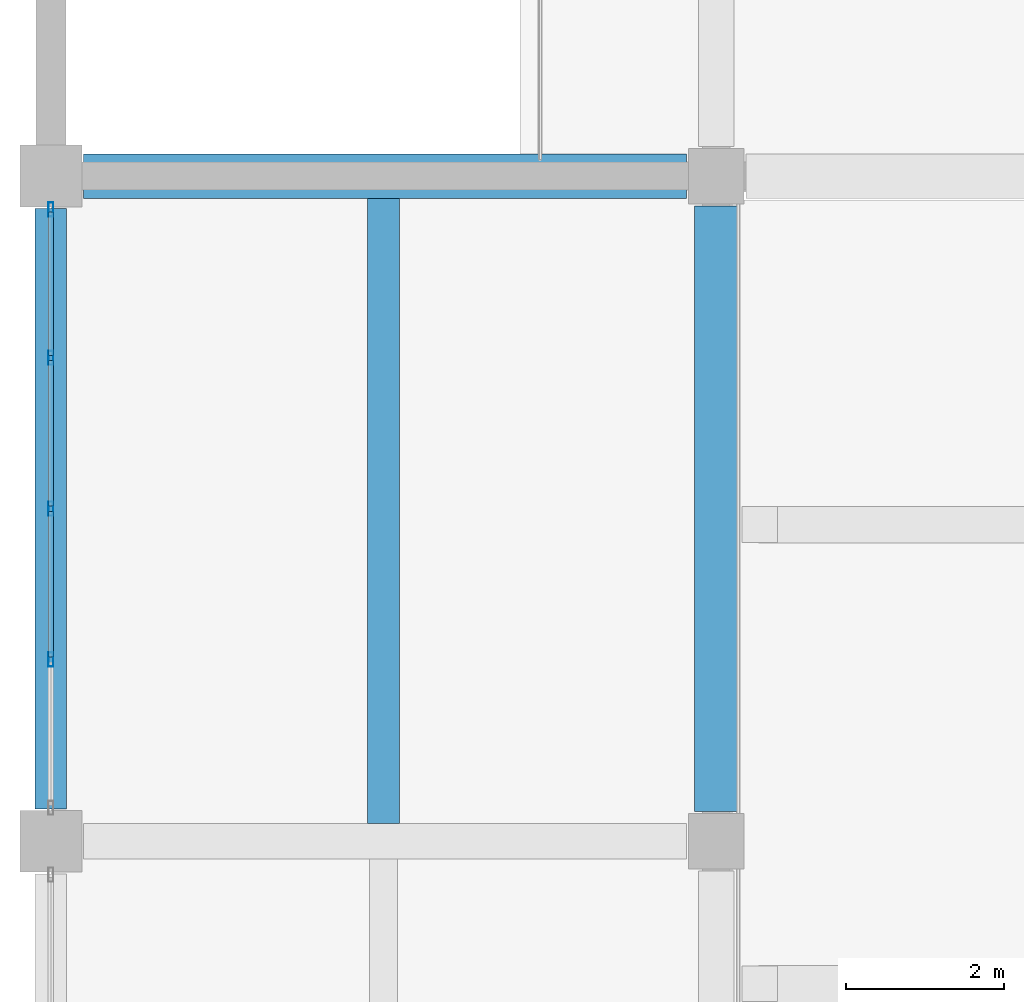
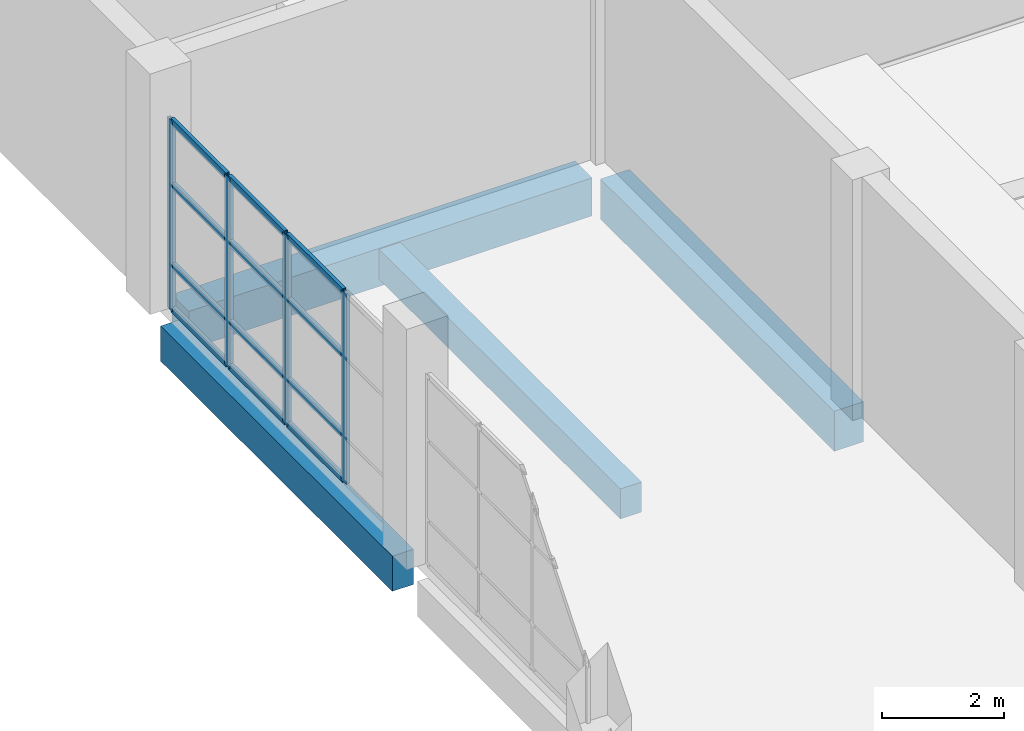
# One storey, part 21 of 91: 16 members, 4 beams, 1 element without a shape of its own.
"""IFC4 building model written with IfcOpenShell, lengths in metres."""

from ifc_helpers import new_model, si_unit, direction, frame, origin, origin_2d, place, context, subcontext, project, spatial, rectangle, hollow_rectangle, extrude, material, material_profile, profile_set, type_object, element, aggregate, save


model = new_model("IFC4")

# Units and contexts
model_context = context("Model", 3, precision=1e-05, world=origin(), true_north=direction((0.0, 1.0)))
body_context = subcontext(model_context, "Body", "Model", "MODEL_VIEW")
ifc_project = project(units=[si_unit("LENGTHUNIT", "METRE"), si_unit("AREAUNIT", "SQUARE_METRE"), si_unit("VOLUMEUNIT", "CUBIC_METRE"), si_unit("PLANEANGLEUNIT", "RADIAN"), si_unit("MASSUNIT", "GRAM", prefix="KILO")], contexts=[model_context])

# Site, building, storey
site_placement = place(None, origin())
site = spatial("IfcSite", under=ifc_project, at=site_placement, CompositionType="ELEMENT")
building_placement = place(site_placement, origin())
building = spatial("IfcBuilding", under=site, at=building_placement, Name="Pellamere Symphony Hall", CompositionType="ELEMENT")
storey_placement = place(building_placement, frame((0.0, 0.0, 5.39990234375)))
storey = spatial("IfcBuildingStorey", under=building, at=storey_placement, Name="L01", CompositionType="ELEMENT", Elevation=5.39990234375)

# Curtain wall, members
ifc_material_1 = material(Name="Thermally Broken Anodised Aluminium 6063-T6 Curtain Wall", Category="aluminium")
curtain_wall_type = type_object("IfcCurtainWallType", Name="Curtain Wall CW-04 (Chamber Music Lobby Curtain Wall)", PredefinedType="NOTDEFINED", material=ifc_material_1)
curtain_wall_placement = place(storey_placement, origin())
curtain_wall = element("IfcCurtainWall", 1, at=curtain_wall_placement, inside=storey, type_object=curtain_wall_type, Name="Chamber West Gallery Curtain Wall (L01 Bay 3)", PredefinedType="NOTDEFINED")
ifc_material_2 = material(Name="Anodised Architectural Aluminium 6063-T6", Category="aluminium")
ifc_material_profile_1 = material_profile(ifc_material_2, hollow_rectangle(XDim=0.06494140625, YDim=0.179931640625, WallThickness=0.00390625, at=origin_2d()), Name="ALU-M65X180X4")
ifc_profile_set_1 = profile_set([ifc_material_profile_1], Name="Anodised Architectural Aluminium 6063-T6")
member_type_1 = type_object("IfcMemberType", Name="Curtain Wall Mullion ML-02 ALU-M65X180X4", PredefinedType="MULLION", material=ifc_profile_set_1)
member_1_placement = place(storey_placement, frame((0.0, 32.294921875, 0.0), z_axis=(0.0, 0.0, 1.0), x_axis=(-1.0, 0.0, 0.0)))
member_1 = element("IfcMember", 2, at=member_1_placement, type_object=member_type_1, Name="CW4W-123 crystal mullion 2", PredefinedType="MULLION", context=body_context, shape_type="SweptSolid", body=[
    extrude(hollow_rectangle(XDim=0.06494140625, YDim=0.179931640625, WallThickness=0.00390625, at=origin_2d()), origin(), (0.0, 0.0, 1.0), 3.800048828125),
])
member_2_placement = place(storey_placement, frame((0.0, 34.199951171875, 0.0), z_axis=(0.0, 0.0, 1.0), x_axis=(-1.0, 0.0, 0.0)))
member_2 = element("IfcMember", 3, at=member_2_placement, type_object=member_type_1, Name="CW4W-123 crystal mullion 3", PredefinedType="MULLION", context=body_context, shape_type="SweptSolid", body=[
    extrude(hollow_rectangle(XDim=0.06494140625, YDim=0.179931640625, WallThickness=0.00390625, at=origin_2d()), origin(), (0.0, 0.0, 1.0), 3.800048828125),
])
member_3_placement = place(storey_placement, frame((0.0, 36.10498046875, 0.0), z_axis=(0.0, 0.0, 1.0), x_axis=(-1.0, 0.0, 0.0)))
member_3 = element("IfcMember", 4, at=member_3_placement, type_object=member_type_1, Name="CW4W-123 crystal mullion 4", PredefinedType="MULLION", context=body_context, shape_type="SweptSolid", body=[
    extrude(hollow_rectangle(XDim=0.06494140625, YDim=0.179931640625, WallThickness=0.00390625, at=origin_2d()), origin(), (0.0, 0.0, 1.0), 3.800048828125),
])
member_4_placement = place(storey_placement, frame((0.0, 37.9775390625, 0.0), z_axis=(0.0, 0.0, 1.0), x_axis=(-1.0, 0.0, 0.0)))
member_4 = element("IfcMember", 5, at=member_4_placement, type_object=member_type_1, Name="CW4W-123 crystal mullion 5", PredefinedType="MULLION", context=body_context, shape_type="SweptSolid", body=[
    extrude(hollow_rectangle(XDim=0.06494140625, YDim=0.179931640625, WallThickness=0.00390625, at=origin_2d()), origin(), (0.0, 0.0, 1.0), 3.800048828125),
])
ifc_material_profile_2 = material_profile(ifc_material_2, hollow_rectangle(XDim=0.06494140625, YDim=0.139892578125, WallThickness=0.00390625, at=origin_2d()), Name="ALU-T65X140X4")
ifc_profile_set_2 = profile_set([ifc_material_profile_2], Name="Anodised Architectural Aluminium 6063-T6")
member_type_2 = type_object("IfcMemberType", Name="Curtain Wall Transom TR-02 ALU-T65X140X4", PredefinedType="USERDEFINED", material=ifc_profile_set_2)
member_5_placement = place(storey_placement, frame((0.0, 32.327392578125, 0.03271484375), z_axis=(0.0, 1.0, 0.0), x_axis=(-1.0, 0.0, 0.0)))
member_5 = element("IfcMember", 6, at=member_5_placement, type_object=member_type_2, Name="CW4W-123 crystal transom 2.1", ObjectType="TRANSOM", PredefinedType="USERDEFINED", context=body_context, shape_type="SweptSolid", body=[
    extrude(hollow_rectangle(XDim=0.06494140625, YDim=0.139892578125, WallThickness=0.00390625, at=origin_2d()), origin(), (0.0, 0.0, 1.0), 1.840087890625),
])
member_6_placement = place(storey_placement, frame((0.0, 32.327392578125, 0.912109375), z_axis=(0.0, 1.0, 0.0), x_axis=(-1.0, 0.0, 0.0)))
member_6 = element("IfcMember", 7, at=member_6_placement, type_object=member_type_2, Name="CW4W-123 crystal transom 2.2", ObjectType="TRANSOM", PredefinedType="USERDEFINED", context=body_context, shape_type="SweptSolid", body=[
    extrude(hollow_rectangle(XDim=0.06494140625, YDim=0.139892578125, WallThickness=0.00390625, at=origin_2d()), origin(), (0.0, 0.0, 1.0), 1.840087890625),
])
member_7_placement = place(storey_placement, frame((0.0, 32.327392578125, 2.508056640625), z_axis=(0.0, 1.0, 0.0), x_axis=(-1.0, 0.0, 0.0)))
member_7 = element("IfcMember", 8, at=member_7_placement, type_object=member_type_2, Name="CW4W-123 crystal transom 2.3", ObjectType="TRANSOM", PredefinedType="USERDEFINED", context=body_context, shape_type="SweptSolid", body=[
    extrude(hollow_rectangle(XDim=0.06494140625, YDim=0.139892578125, WallThickness=0.00390625, at=origin_2d()), origin(), (0.0, 0.0, 1.0), 1.840087890625),
])
member_8_placement = place(storey_placement, frame((0.0, 32.327392578125, 3.767578125), z_axis=(0.0, 1.0, 0.0), x_axis=(-1.0, 0.0, 0.0)))
member_8 = element("IfcMember", 9, at=member_8_placement, type_object=member_type_2, Name="CW4W-123 crystal transom 2.4", ObjectType="TRANSOM", PredefinedType="USERDEFINED", context=body_context, shape_type="SweptSolid", body=[
    extrude(hollow_rectangle(XDim=0.06494140625, YDim=0.139892578125, WallThickness=0.00390625, at=origin_2d()), origin(), (0.0, 0.0, 1.0), 1.840087890625),
])
member_9_placement = place(storey_placement, frame((0.0, 34.232421875, 0.03271484375), z_axis=(0.0, 1.0, 0.0), x_axis=(-1.0, 0.0, 0.0)))
member_9 = element("IfcMember", 10, at=member_9_placement, type_object=member_type_2, Name="CW4W-123 crystal transom 3.1", ObjectType="TRANSOM", PredefinedType="USERDEFINED", context=body_context, shape_type="SweptSolid", body=[
    extrude(hollow_rectangle(XDim=0.06494140625, YDim=0.139892578125, WallThickness=0.00390625, at=origin_2d()), origin(), (0.0, 0.0, 1.0), 1.840087890625),
])
member_10_placement = place(storey_placement, frame((0.0, 34.232421875, 0.912109375), z_axis=(0.0, 1.0, 0.0), x_axis=(-1.0, 0.0, 0.0)))
member_10 = element("IfcMember", 11, at=member_10_placement, type_object=member_type_2, Name="CW4W-123 crystal transom 3.2", ObjectType="TRANSOM", PredefinedType="USERDEFINED", context=body_context, shape_type="SweptSolid", body=[
    extrude(hollow_rectangle(XDim=0.06494140625, YDim=0.139892578125, WallThickness=0.00390625, at=origin_2d()), origin(), (0.0, 0.0, 1.0), 1.840087890625),
])
member_11_placement = place(storey_placement, frame((0.0, 34.232421875, 2.508056640625), z_axis=(0.0, 1.0, 0.0), x_axis=(-1.0, 0.0, 0.0)))
member_11 = element("IfcMember", 12, at=member_11_placement, type_object=member_type_2, Name="CW4W-123 crystal transom 3.3", ObjectType="TRANSOM", PredefinedType="USERDEFINED", context=body_context, shape_type="SweptSolid", body=[
    extrude(hollow_rectangle(XDim=0.06494140625, YDim=0.139892578125, WallThickness=0.00390625, at=origin_2d()), origin(), (0.0, 0.0, 1.0), 1.840087890625),
])
member_12_placement = place(storey_placement, frame((0.0, 34.232421875, 3.767578125), z_axis=(0.0, 1.0, 0.0), x_axis=(-1.0, 0.0, 0.0)))
member_12 = element("IfcMember", 13, at=member_12_placement, type_object=member_type_2, Name="CW4W-123 crystal transom 3.4", ObjectType="TRANSOM", PredefinedType="USERDEFINED", context=body_context, shape_type="SweptSolid", body=[
    extrude(hollow_rectangle(XDim=0.06494140625, YDim=0.139892578125, WallThickness=0.00390625, at=origin_2d()), origin(), (0.0, 0.0, 1.0), 1.840087890625),
])
member_13_placement = place(storey_placement, frame((0.0, 36.137451171875, 0.03271484375), z_axis=(0.0, 1.0, 0.0), x_axis=(-1.0, 0.0, 0.0)))
member_13 = element("IfcMember", 14, at=member_13_placement, type_object=member_type_2, Name="CW4W-123 crystal transom 4.1", ObjectType="TRANSOM", PredefinedType="USERDEFINED", context=body_context, shape_type="SweptSolid", body=[
    extrude(hollow_rectangle(XDim=0.06494140625, YDim=0.139892578125, WallThickness=0.00390625, at=origin_2d()), origin(), (0.0, 0.0, 1.0), 1.8076171875),
])
member_14_placement = place(storey_placement, frame((0.0, 36.137451171875, 0.912109375), z_axis=(0.0, 1.0, 0.0), x_axis=(-1.0, 0.0, 0.0)))
member_14 = element("IfcMember", 15, at=member_14_placement, type_object=member_type_2, Name="CW4W-123 crystal transom 4.2", ObjectType="TRANSOM", PredefinedType="USERDEFINED", context=body_context, shape_type="SweptSolid", body=[
    extrude(hollow_rectangle(XDim=0.06494140625, YDim=0.139892578125, WallThickness=0.00390625, at=origin_2d()), origin(), (0.0, 0.0, 1.0), 1.8076171875),
])
member_15_placement = place(storey_placement, frame((0.0, 36.137451171875, 2.508056640625), z_axis=(0.0, 1.0, 0.0), x_axis=(-1.0, 0.0, 0.0)))
member_15 = element("IfcMember", 16, at=member_15_placement, type_object=member_type_2, Name="CW4W-123 crystal transom 4.3", ObjectType="TRANSOM", PredefinedType="USERDEFINED", context=body_context, shape_type="SweptSolid", body=[
    extrude(hollow_rectangle(XDim=0.06494140625, YDim=0.139892578125, WallThickness=0.00390625, at=origin_2d()), origin(), (0.0, 0.0, 1.0), 1.8076171875),
])
member_16_placement = place(storey_placement, frame((0.0, 36.137451171875, 3.767578125), z_axis=(0.0, 1.0, 0.0), x_axis=(-1.0, 0.0, 0.0)))
member_16 = element("IfcMember", 17, at=member_16_placement, type_object=member_type_2, Name="CW4W-123 crystal transom 4.4", ObjectType="TRANSOM", PredefinedType="USERDEFINED", context=body_context, shape_type="SweptSolid", body=[
    extrude(hollow_rectangle(XDim=0.06494140625, YDim=0.139892578125, WallThickness=0.00390625, at=origin_2d()), origin(), (0.0, 0.0, 1.0), 1.8076171875),
])
aggregate(curtain_wall, [member_1, member_2, member_3, member_4, member_5, member_6, member_7, member_8, member_9, member_10, member_11, member_12, member_13, member_14, member_15, member_16])

# Beams
ifc_material_3 = material(Name="Concrete 40 MPa", Category="concrete")
ifc_material_profile_3 = material_profile(ifc_material_3, rectangle(XDim=0.550048828125, YDim=0.800048828125, at=origin_2d()), Name="RC 550x800")
ifc_profile_set_3 = profile_set([ifc_material_profile_3], Name="Concrete 40 MPa")
beam_type_1 = type_object("IfcBeamType", Name="RC CB-05 550x800", PredefinedType="BEAM", material=ifc_profile_set_3)
beam_1_placement = place(storey_placement, frame((8.39990234375, 30.375, -0.679931640625), z_axis=(0.0, 1.0, 0.0), x_axis=(-1.0, 0.0, 0.0)))
element("IfcBeam", 18, at=beam_1_placement, inside=storey, type_object=beam_type_1, Name="Girder CB-05-Y0723 (L01)", PredefinedType="BEAM", context=body_context, shape_type="SweptSolid", body=[
    extrude(rectangle(XDim=0.550048828125, YDim=0.800048828125, at=origin_2d()), origin(), (0.0, 0.0, 1.0), 7.64990234375),
])
ifc_material_profile_4 = material_profile(ifc_material_3, rectangle(XDim=0.39990234375, YDim=0.60009765625, at=origin_2d()), Name="RC 400x600")
ifc_profile_set_4 = profile_set([ifc_material_profile_4], Name="Concrete 40 MPa")
beam_type_2 = type_object("IfcBeamType", Name="RC CB-09 400x600", PredefinedType="BEAM", material=ifc_profile_set_4)
beam_2_placement = place(storey_placement, frame((4.199951171875, 30.22509765625, -0.594970703125), z_axis=(0.0, 1.0, 0.0), x_axis=(-1.0, 0.0, 0.0)))
element("IfcBeam", 19, at=beam_2_placement, inside=storey, type_object=beam_type_2, Name="Secondary Floor Beam CB-09-M0004 (L01)", PredefinedType="BEAM", context=body_context, shape_type="SweptSolid", body=[
    extrude(rectangle(XDim=0.39990234375, YDim=0.60009765625, at=origin_2d()), origin(), (0.0, 0.0, 1.0), 7.89501953125),
])
ifc_material_profile_5 = material_profile(ifc_material_3, rectangle(XDim=0.39990234375, YDim=0.699951171875, at=origin_2d()), Name="RC 400x700")
ifc_profile_set_5 = profile_set([ifc_material_profile_5], Name="Concrete 40 MPa")
beam_type_3 = type_object("IfcBeamType", Name="RC CB-13 400x700", PredefinedType="SPANDREL", material=ifc_profile_set_5)
beam_3_placement = place(storey_placement, frame((0.0, 30.409912109375, -0.6298828125), z_axis=(0.0, 1.0, 0.0), x_axis=(-1.0, 0.0, 0.0)))
element("IfcBeam", 20, at=beam_3_placement, inside=storey, type_object=beam_type_3, Name="Girder CB-13-Y0717 (L01)", PredefinedType="SPANDREL", context=body_context, shape_type="SweptSolid", body=[
    extrude(rectangle(XDim=0.39990234375, YDim=0.699951171875, at=origin_2d()), origin(), (0.0, 0.0, 1.0), 7.580078125),
])
ifc_material_profile_6 = material_profile(ifc_material_3, rectangle(XDim=0.56005859375, YDim=0.760009765625, at=origin_2d()), Name="RC 560x760")
ifc_profile_set_6 = profile_set([ifc_material_profile_6], Name="Concrete 40 MPa")
beam_type_4 = type_object("IfcBeamType", Name="RC CB-18 560x760", PredefinedType="BEAM", material=ifc_profile_set_6)
beam_4_placement = place(storey_placement, frame((0.409912109375, 38.39990234375, -0.659912109375), z_axis=(1.0, 0.0, 0.0), x_axis=(0.0, 1.0, 0.0)))
element("IfcBeam", 21, at=beam_4_placement, inside=storey, type_object=beam_type_4, Name="Girder CB-18-X0595 (L01)", PredefinedType="BEAM", context=body_context, shape_type="SweptSolid", body=[
    extrude(rectangle(XDim=0.56005859375, YDim=0.760009765625, at=origin_2d()), origin(), (0.0, 0.0, 1.0), 7.614990234375),
])

save(model, "model.ifc")
